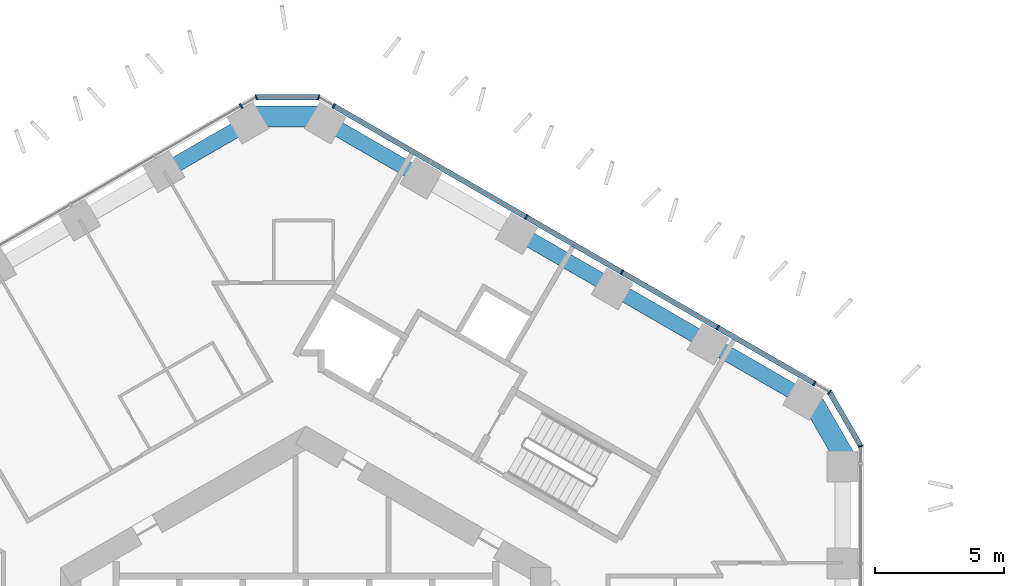
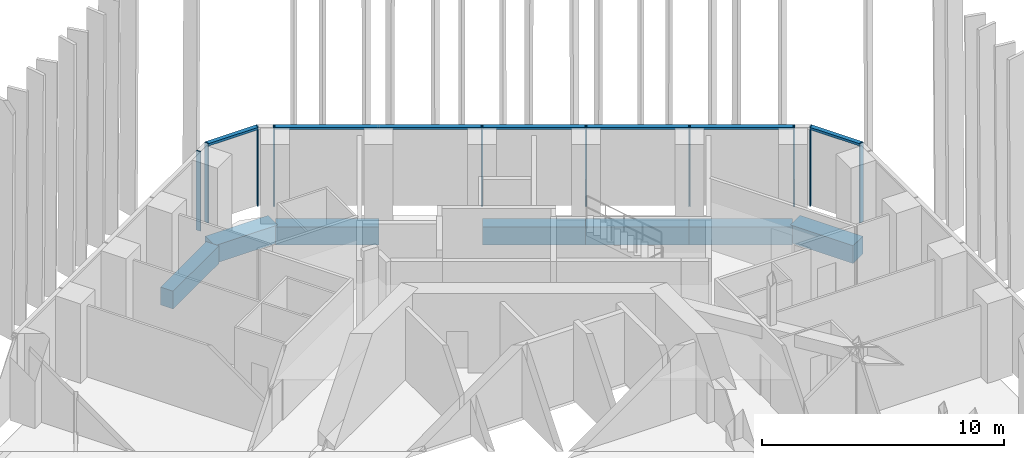
# One storey, part 10 of 29: 13 members, 7 beams, 4 elements without a shape of their own.
"""IFC4 building model written with IfcOpenShell, lengths in metres."""

from ifc_helpers import new_model, si_unit, direction, frame, origin, origin_2d, place, context, subcontext, project, spatial, rectangle, extrude, material, layer, layer_set, material_profile, profile_set, type_object, element, aggregate, save


model = new_model("IFC4")

# Units and contexts
model_context = context("Model", 3, precision=1e-05, world=origin(), true_north=direction((0.0, 1.0)))
body_context = subcontext(model_context, "Body", "Model", "MODEL_VIEW")
ifc_project = project(units=[si_unit("LENGTHUNIT", "METRE"), si_unit("AREAUNIT", "SQUARE_METRE"), si_unit("VOLUMEUNIT", "CUBIC_METRE"), si_unit("PLANEANGLEUNIT", "RADIAN"), si_unit("MASSUNIT", "GRAM", prefix="KILO")], contexts=[model_context])

# Site, building, storey
site_placement = place(None, origin())
site = spatial("IfcSite", under=ifc_project, at=site_placement, CompositionType="ELEMENT")
building_placement = place(site_placement, origin())
building = spatial("IfcBuilding", under=site, at=building_placement, Name="Ayvan Gate Tower", CompositionType="ELEMENT")
storey_placement = place(building_placement, frame((0.0, 0.0, 66.300048828125)))
storey = spatial("IfcBuildingStorey", under=building, at=storey_placement, Name="L17", CompositionType="ELEMENT", Elevation=66.300048828125)

# Beams
ifc_material_1 = material(Name="Concrete C40/50", Category="concrete")
ifc_material_profile_1 = material_profile(ifc_material_1, rectangle(XDim=0.800048828125, YDim=0.89990234375, at=origin_2d()), Name="RC 800x900")
ifc_profile_set_1 = profile_set([ifc_material_profile_1], Name="Concrete C40/50")
beam_type_1 = type_object("IfcBeamType", Name="Corner spandrel beam RC 800x900 C40/50", PredefinedType="BEAM", material=ifc_profile_set_1)
for number, where, z_axis, x_axis, name in (
    (1, (20.97509765625, 9.57275390625, -0.85009765625), (-0.499990139034, 0.866031096941, 0.0), (-0.866031096941, -0.499990139034, 0.0), "SB-L17-6"),
    (2, (0.802734375, 22.951416015625, -0.85009765625), (-1.0, 0.0, 0.0), (0.0, -1.0, 0.0), "SB-L17-12"),
):
    element("IfcBeam", number, at=place(storey_placement, frame(where, z_axis=z_axis, x_axis=x_axis)), inside=storey, type_object=beam_type_1, Name=name, PredefinedType="BEAM", context=body_context, shape_type="SweptSolid", body=[
        extrude(rectangle(XDim=0.800048828125, YDim=0.89990234375, at=origin_2d()), origin(), (0.0, 0.0, 1.0), 3.0),
    ])
ifc_material_profile_2 = material_profile(ifc_material_1, rectangle(XDim=0.60009765625, YDim=0.89990234375, at=origin_2d()), Name="RC 600x900")
ifc_profile_set_2 = profile_set([ifc_material_profile_2], Name="Concrete C40/50")
beam_type_2 = type_object("IfcBeamType", Name="Spandrel beam RC 600x900 C40/50", PredefinedType="BEAM", material=ifc_profile_set_2)
for number, where, z_axis, x_axis, name in (
    (3, (19.28466796875, 12.060791015625, -0.85009765625), (-0.86604176052, 0.499971668232, 0.0), (-0.499971668232, -0.86604176052, 0.0), "SB-L17-7"),
    (4, (15.588134765625, 14.19482421875, -0.85009765625), (-0.866002692346, 0.500039335303, 0.0), (-0.500039335303, -0.866002692346, 0.0), "SB-L17-8"),
):
    element("IfcBeam", number, at=place(storey_placement, frame(where, z_axis=z_axis, x_axis=x_axis)), inside=storey, type_object=beam_type_2, Name=name, PredefinedType="BEAM", context=body_context, shape_type="SweptSolid", body=[
        extrude(rectangle(XDim=0.60009765625, YDim=0.89990234375, at=origin_2d()), origin(), (0.0, 0.0, 1.0), 4.268310546875),
    ])
beam_1_placement = place(storey_placement, frame((11.891845703125, 16.3291015625, -0.85009765625), z_axis=(-0.866027461465, 0.499996435975, 0.0), x_axis=(-0.499996435975, -0.866027461465, 0.0)))
element("IfcBeam", 5, at=beam_1_placement, inside=storey, type_object=beam_type_2, Name="SB-L17-9", PredefinedType="BEAM", context=body_context, shape_type="SweptSolid", body=[
    extrude(rectangle(XDim=0.60009765625, YDim=0.89990234375, at=origin_2d()), origin(), (0.0, 0.0, 1.0), 4.26806640625),
])
beam_2_placement = place(storey_placement, frame((4.4990234375, 20.59716796875, -0.85009765625), z_axis=(-0.866002692346, 0.500039335303, 0.0), x_axis=(-0.500039335303, -0.866002692346, 0.0)))
element("IfcBeam", 6, at=beam_2_placement, inside=storey, type_object=beam_type_2, Name="SB-L17-11", PredefinedType="BEAM", context=body_context, shape_type="SweptSolid", body=[
    extrude(rectangle(XDim=0.60009765625, YDim=0.89990234375, at=origin_2d()), origin(), (0.0, 0.0, 1.0), 4.268310546875),
])
beam_3_placement = place(storey_placement, frame((-2.197265625, 22.7314453125, -0.85009765625), z_axis=(-0.866027695742, -0.499996030192, 0.0), x_axis=(0.499996030192, -0.866027695742, 0.0)))
element("IfcBeam", 7, at=beam_3_placement, inside=storey, type_object=beam_type_2, Name="SB-L17-13", PredefinedType="BEAM", context=body_context, shape_type="SweptSolid", body=[
    extrude(rectangle(XDim=0.60009765625, YDim=0.89990234375, at=origin_2d()), origin(), (0.0, 0.0, 1.0), 3.78515625),
])

# Curtain wall, members
ifc_material_2 = material(Name="Bronze anodised aluminium", Category="aluminium")
ifc_layer_1 = layer(ifc_material_2, 0.199951171875)
ifc_layer_set_1 = layer_set([ifc_layer_1], Name="Bronze anodised aluminium")
curtain_wall_type_1 = type_object("IfcCurtainWallType", Name="Stick curtain wall CW-1", PredefinedType="NOTDEFINED", material=ifc_layer_set_1)
curtain_wall_1_placement = place(storey_placement, origin())
curtain_wall_1 = element("IfcCurtainWall", 8, at=curtain_wall_1_placement, inside=storey, type_object=curtain_wall_type_1, Name="Stick curtain wall CW-1 L17", PredefinedType="NOTDEFINED")
ifc_material_profile_3 = material_profile(ifc_material_2, rectangle(XDim=0.199951171875, YDim=0.06005859375, at=origin_2d()), Name="Stick curtain wall CW-1 mullion 200 x 60")
ifc_profile_set_3 = profile_set([ifc_material_profile_3], Name="Bronze anodised aluminium")
member_type_1 = type_object("IfcMemberType", Name="Stick curtain wall CW-1 mullion 200 x 60", PredefinedType="MULLION", material=ifc_profile_set_3)
member_1_placement = place(storey_placement, frame((19.6884765625, 12.618896484375, 0.0), z_axis=(0.0, 0.0, 1.0), x_axis=(0.5, 0.866025403784, 0.0)))
member_1 = element("IfcMember", 9, at=member_1_placement, type_object=member_type_1, Name="CW-1 mullion 1", PredefinedType="MULLION", context=body_context, shape_type="SweptSolid", body=[
    extrude(rectangle(XDim=0.199951171875, YDim=0.06005859375, at=origin_2d()), origin(), (0.0, 0.0, 1.0), 4.0),
])
member_2_placement = place(storey_placement, frame((15.945556640625, 14.77978515625, 0.0), z_axis=(0.0, 0.0, 1.0), x_axis=(0.5, 0.866025403784, 0.0)))
member_2 = element("IfcMember", 10, at=member_2_placement, type_object=member_type_1, Name="CW-1 mullion 2", PredefinedType="MULLION", context=body_context, shape_type="SweptSolid", body=[
    extrude(rectangle(XDim=0.199951171875, YDim=0.06005859375, at=origin_2d()), origin(), (0.0, 0.0, 1.0), 4.0),
])
member_3_placement = place(storey_placement, frame((12.23974609375, 16.91943359375, 0.0), z_axis=(0.0, 0.0, 1.0), x_axis=(0.5, 0.866025403784, 0.0)))
member_3 = element("IfcMember", 11, at=member_3_placement, type_object=member_type_1, Name="CW-1 mullion 3", PredefinedType="MULLION", context=body_context, shape_type="SweptSolid", body=[
    extrude(rectangle(XDim=0.199951171875, YDim=0.06005859375, at=origin_2d()), origin(), (0.0, 0.0, 1.0), 4.0),
])
member_4_placement = place(storey_placement, frame((8.533203125, 19.059326171875, 0.0), z_axis=(0.0, 0.0, 1.0), x_axis=(0.5, 0.866025403784, 0.0)))
member_4 = element("IfcMember", 12, at=member_4_placement, type_object=member_type_1, Name="CW-1 mullion 4", PredefinedType="MULLION", context=body_context, shape_type="SweptSolid", body=[
    extrude(rectangle(XDim=0.199951171875, YDim=0.06005859375, at=origin_2d()), origin(), (0.0, 0.0, 1.0), 4.0),
])
member_5_placement = place(storey_placement, frame((1.083984375, 23.360107421875, 0.0), z_axis=(0.0, 0.0, 1.0), x_axis=(0.5, 0.866025403784, 0.0)))
member_5 = element("IfcMember", 13, at=member_5_placement, type_object=member_type_1, Name="CW-1 mullion 6", PredefinedType="MULLION", context=body_context, shape_type="SweptSolid", body=[
    extrude(rectangle(XDim=0.199951171875, YDim=0.06005859375, at=origin_2d()), origin(), (0.0, 0.0, 1.0), 4.0),
])

# Curtain wall, member
curtain_wall_2_placement = place(storey_placement, origin())
curtain_wall_2 = element("IfcCurtainWall", 14, at=curtain_wall_2_placement, inside=storey, type_object=curtain_wall_type_1, Name="Stick curtain wall CW-1 L17", PredefinedType="NOTDEFINED")
member_6_placement = place(storey_placement, frame((-2.50830078125, 23.360107421875, 0.0), z_axis=(0.0, 0.0, 1.0), x_axis=(-0.5, 0.866025403784, 0.0)))
member_6 = element("IfcMember", 15, at=member_6_placement, type_object=member_type_1, Name="CW-1 mullion 1", PredefinedType="MULLION", context=body_context, shape_type="SweptSolid", body=[
    extrude(rectangle(XDim=0.199951171875, YDim=0.06005859375, at=origin_2d()), origin(), (0.0, 0.0, 1.0), 4.0),
])
aggregate(curtain_wall_2, [member_6])

# Member
ifc_material_profile_4 = material_profile(ifc_material_2, rectangle(XDim=0.199951171875, YDim=0.1201171875, at=origin_2d()), Name="Stick curtain wall CW-1 transom 200 x 120")
ifc_profile_set_4 = profile_set([ifc_material_profile_4], Name="Bronze anodised aluminium")
member_type_2 = type_object("IfcMemberType", Name="Stick curtain wall CW-1 transom 200 x 120", PredefinedType="USERDEFINED", material=ifc_profile_set_4)
member_7_placement = place(storey_placement, frame((19.6884765625, 12.618896484375, 3.93994140625), z_axis=(-0.866027371756, 0.499996591357, 0.0), x_axis=(-0.499996591357, -0.866027371756, 0.0)))
member_7 = element("IfcMember", 16, at=member_7_placement, type_object=member_type_2, Name="CW-1 transom 1", ObjectType="TRANSOM", PredefinedType="USERDEFINED", context=body_context, shape_type="SweptSolid", body=[
    extrude(rectangle(XDim=0.199951171875, YDim=0.1201171875, at=origin_2d()), origin(), (0.0, 0.0, 1.0), 21.482666015625),
])

aggregate(curtain_wall_1, [member_1, member_2, member_3, member_4, member_5, member_7])

# Curtain wall, members
ifc_layer_2 = layer(ifc_material_2, 0.199951171875)
ifc_layer_set_2 = layer_set([ifc_layer_2], Name="Bronze anodised aluminium")
curtain_wall_type_2 = type_object("IfcCurtainWallType", Name="Stick curtain wall CW-6", PredefinedType="NOTDEFINED", material=ifc_layer_set_2)
curtain_wall_3_placement = place(storey_placement, origin())
curtain_wall_3 = element("IfcCurtainWall", 17, at=curtain_wall_3_placement, inside=storey, type_object=curtain_wall_type_2, Name="Stick curtain wall CW-6 L17", PredefinedType="NOTDEFINED")
ifc_material_profile_5 = material_profile(ifc_material_2, rectangle(XDim=0.199951171875, YDim=0.050048828125, at=origin_2d()), Name="Stick curtain wall CW-6 mullion 200 x 50")
ifc_profile_set_5 = profile_set([ifc_material_profile_5], Name="Bronze anodised aluminium")
member_type_3 = type_object("IfcMemberType", Name="Stick curtain wall CW-6 mullion 200 x 50", PredefinedType="MULLION", material=ifc_profile_set_5)
member_8_placement = place(storey_placement, frame((21.484619140625, 10.187744140625, 0.0), z_axis=(0.0, 0.0, 1.0), x_axis=(0.965925826289, 0.258819045103, 0.0)))
member_8 = element("IfcMember", 18, at=member_8_placement, type_object=member_type_3, Name="CW-6 mullion 2", PredefinedType="MULLION", context=body_context, shape_type="SweptSolid", body=[
    extrude(rectangle(XDim=0.199951171875, YDim=0.050048828125, at=origin_2d()), origin(), (0.0, 0.0, 1.0), 4.0),
])
member_9_placement = place(storey_placement, frame((20.27734375, 12.27880859375, 0.0), z_axis=(0.0, 0.0, 1.0), x_axis=(0.707106781187, 0.707106781187, 0.0)))
member_9 = element("IfcMember", 19, at=member_9_placement, type_object=member_type_3, Name="CW-6 mullion 3", PredefinedType="MULLION", context=body_context, shape_type="SweptSolid", body=[
    extrude(rectangle(XDim=0.199951171875, YDim=0.050048828125, at=origin_2d()), origin(), (0.0, 0.0, 1.0), 4.0),
])

curtain_wall_4_placement = place(storey_placement, origin())
curtain_wall_4 = element("IfcCurtainWall", 20, at=curtain_wall_4_placement, inside=storey, type_object=curtain_wall_type_2, Name="Stick curtain wall CW-6 L17", PredefinedType="NOTDEFINED")
member_10_placement = place(storey_placement, frame((0.4951171875, 23.7001953125, 0.0), z_axis=(0.0, 0.0, 1.0), x_axis=(0.258819045103, 0.965925826289, 0.0)))
member_10 = element("IfcMember", 21, at=member_10_placement, type_object=member_type_3, Name="CW-6 mullion 2", PredefinedType="MULLION", context=body_context, shape_type="SweptSolid", body=[
    extrude(rectangle(XDim=0.199951171875, YDim=0.050048828125, at=origin_2d()), origin(), (0.0, 0.0, 1.0), 4.0),
])
member_11_placement = place(storey_placement, frame((-1.91943359375, 23.7001953125, 0.0), z_axis=(0.0, 0.0, 1.0), x_axis=(-0.258819045103, 0.965925826289, 0.0)))
member_11 = element("IfcMember", 22, at=member_11_placement, type_object=member_type_3, Name="CW-6 mullion 3", PredefinedType="MULLION", context=body_context, shape_type="SweptSolid", body=[
    extrude(rectangle(XDim=0.199951171875, YDim=0.050048828125, at=origin_2d()), origin(), (0.0, 0.0, 1.0), 4.0),
])

# Member
ifc_material_profile_6 = material_profile(ifc_material_2, rectangle(XDim=0.199951171875, YDim=0.1201171875, at=origin_2d()), Name="Stick curtain wall CW-6 transom 200 x 120")
ifc_profile_set_6 = profile_set([ifc_material_profile_6], Name="Bronze anodised aluminium")
member_type_4 = type_object("IfcMemberType", Name="Stick curtain wall CW-6 transom 200 x 120", PredefinedType="USERDEFINED", material=ifc_profile_set_6)
member_12_placement = place(storey_placement, frame((21.47216796875, 10.20947265625, 3.93994140625), z_axis=(-0.500059108572, 0.865991274745, 0.0), x_axis=(-0.865991274745, -0.500059108572, 0.0)))
member_12 = element("IfcMember", 23, at=member_12_placement, type_object=member_type_4, Name="CW-6 transom 2", ObjectType="TRANSOM", PredefinedType="USERDEFINED", context=body_context, shape_type="SweptSolid", body=[
    extrude(rectangle(XDim=0.199951171875, YDim=0.1201171875, at=origin_2d()), origin(), (0.0, 0.0, 1.0), 2.364501953125),
])

aggregate(curtain_wall_3, [member_8, member_9, member_12])

member_13_placement = place(storey_placement, frame((0.47021484375, 23.7001953125, 3.93994140625), z_axis=(-1.0, 0.0, 0.0), x_axis=(0.0, -1.0, 0.0)))
member_13 = element("IfcMember", 24, at=member_13_placement, type_object=member_type_4, Name="CW-6 transom 2", ObjectType="TRANSOM", PredefinedType="USERDEFINED", context=body_context, shape_type="SweptSolid", body=[
    extrude(rectangle(XDim=0.199951171875, YDim=0.1201171875, at=origin_2d()), origin(), (0.0, 0.0, 1.0), 2.36474609375),
])

aggregate(curtain_wall_4, [member_10, member_11, member_13])

save(model, "model.ifc")
